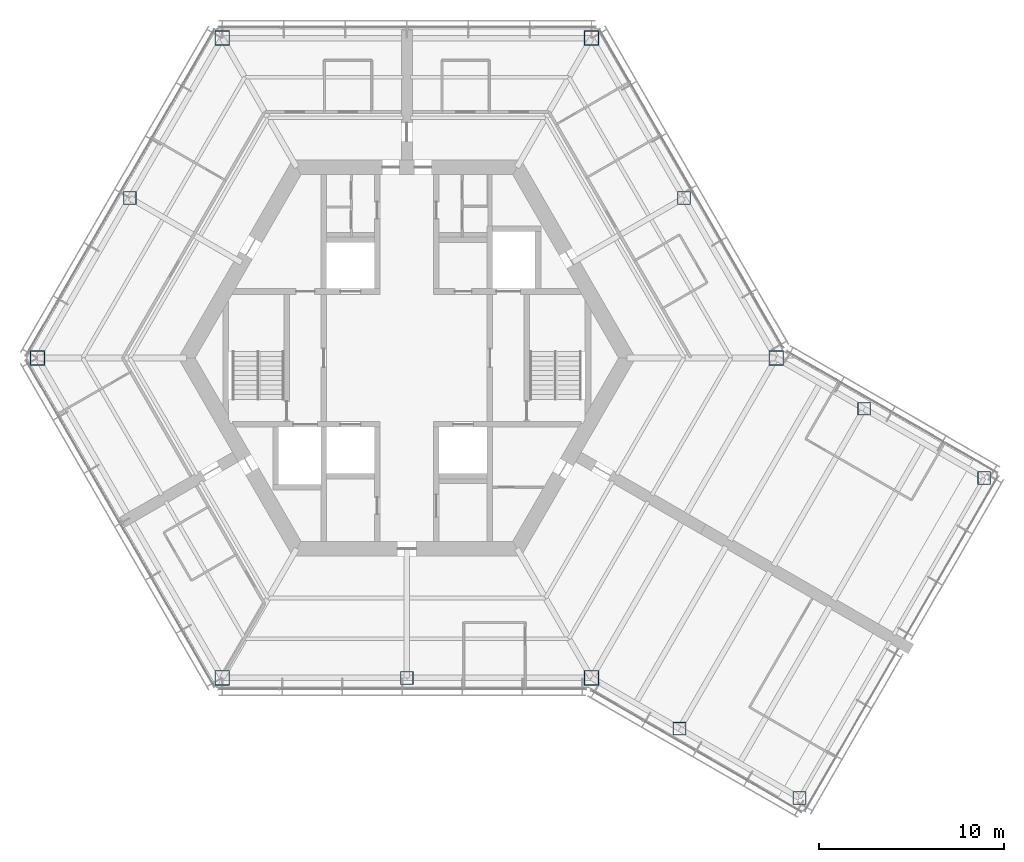
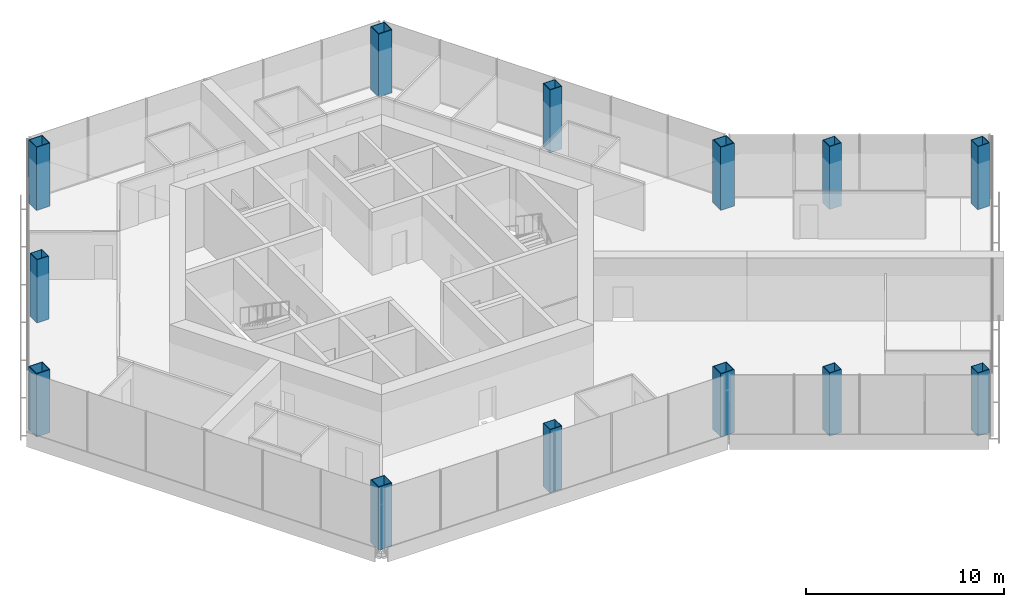
# One storey, part 1 of 15: 13 columns.
"""IFC4 building model written with IfcOpenShell, lengths in metres."""

from ifc_helpers import new_model, si_unit, direction, frame, origin, origin_2d, place, context, subcontext, project, spatial, hollow_rectangle, extrude, material, material_profile, profile_set, type_object, element, save


model = new_model("IFC4")

# Units and contexts
model_context = context("Model", 3, precision=1e-05, world=origin(), true_north=direction((0.0, 1.0)))
body_context = subcontext(model_context, "Body", "Model", "MODEL_VIEW")
ifc_project = project(units=[si_unit("LENGTHUNIT", "METRE"), si_unit("AREAUNIT", "SQUARE_METRE"), si_unit("VOLUMEUNIT", "CUBIC_METRE"), si_unit("PLANEANGLEUNIT", "RADIAN"), si_unit("MASSUNIT", "GRAM", prefix="KILO")], contexts=[model_context])

# Site, building, storey
site_placement = place(None, origin())
site = spatial("IfcSite", under=ifc_project, at=site_placement, CompositionType="ELEMENT")
building_placement = place(site_placement, origin())
building = spatial("IfcBuilding", under=site, at=building_placement, Name="Kasaneha Research Tower", CompositionType="ELEMENT")
storey_placement = place(building_placement, frame((0.0, 0.0, 236.199951171875)))
storey = spatial("IfcBuildingStorey", under=building, at=storey_placement, Name="L59", CompositionType="ELEMENT", Elevation=236.199951171875)

# Columns
ifc_material_1 = material(Name="Steel SN490C", Category="steel")
ifc_material_profile_1 = material_profile(ifc_material_1, hollow_rectangle(XDim=0.800048828125, YDim=0.800048828125, WallThickness=0.0400390625, at=origin_2d()), Name="BOX-800x800x40")
ifc_profile_set_1 = profile_set([ifc_material_profile_1], Name="Steel SN490C")
column_type_1 = type_object("IfcColumnType", Name="C4A column BOX-800x800x40", PredefinedType="COLUMN", material=ifc_profile_set_1)
for number, where, z_axis, x_axis, name in (
    (1, (20.0, 0.0, 0.0), (0.0, 0.0, 1.0), (1.0, 0.0, 0.0), "Column V0 L59"),
    (2, (10.0, 17.320556640625, 0.0), (0.0, 0.0, 1.0), (1.0, 0.0, 0.0), "Column V1 L59"),
    (3, (-10.0, 17.320556640625, 0.0), (0.0, 0.0, 1.0), (1.0, 0.0, 0.0), "Column V2 L59"),
    (4, (-20.0, 0.0, 0.0), (0.0, 0.0, 1.0), (1.0, 0.0, 0.0), "Column V3 L59"),
    (5, (-10.0, -17.320556640625, 0.0), (0.0, 0.0, 1.0), (1.0, 0.0, 0.0), "Column V4 L59"),
    (6, (10.0, -17.320556640625, 0.0), (0.0, 0.0, 1.0), (1.0, 0.0, 0.0), "Column V5 L59"),
):
    element("IfcColumn", number, at=place(storey_placement, frame(where, z_axis=z_axis, x_axis=x_axis)), inside=storey, type_object=column_type_1, Name=name, PredefinedType="COLUMN", context=body_context, shape_type="SweptSolid", body=[
        extrude(hollow_rectangle(XDim=0.800048828125, YDim=0.800048828125, WallThickness=0.0400390625, at=origin_2d()), origin(), (0.0, 0.0, 1.0), 3.900146484375),
    ])
ifc_material_2 = material(Name="Steel SN490C", Category="steel")
ifc_material_profile_2 = material_profile(ifc_material_2, hollow_rectangle(XDim=0.699951171875, YDim=0.699951171875, WallThickness=0.031982421875, at=origin_2d()), Name="BOX-700x700x32")
ifc_profile_set_2 = profile_set([ifc_material_profile_2], Name="Steel SN490C")
column_type_2 = type_object("IfcColumnType", Name="C4B column BOX-700x700x32", PredefinedType="COLUMN", material=ifc_profile_set_2)
for number, where, z_axis, x_axis, name in (
    (7, (15.0, 8.66015625, 0.0), (0.0, 0.0, 1.0), (1.0, 0.0, 0.0), "Column M030 L59"),
    (8, (-15.0, 8.66015625, 0.0), (0.0, 0.0, 1.0), (1.0, 0.0, 0.0), "Column M150 L59"),
    (9, (0.0, -17.320556640625, 0.0), (0.0, 0.0, 1.0), (1.0, 0.0, 0.0), "Column M270 L59"),
    (10, (14.76318359375, -20.070556640625, 0.0), (0.0, 0.0, 1.0), (1.0, 0.0, 0.0), "Column CSP L59"),
    (11, (21.25830078125, -23.820556640625, 0.0), (0.0, 0.0, 1.0), (1.0, 0.0, 0.0), "Column CTP L59"),
    (12, (24.76318359375, -2.75, 0.0), (0.0, 0.0, 1.0), (1.0, 0.0, 0.0), "Column CSN L59"),
    (13, (31.25830078125, -6.5, 0.0), (0.0, 0.0, 1.0), (1.0, 0.0, 0.0), "Column CTN L59"),
):
    element("IfcColumn", number, at=place(storey_placement, frame(where, z_axis=z_axis, x_axis=x_axis)), inside=storey, type_object=column_type_2, Name=name, PredefinedType="COLUMN", context=body_context, shape_type="SweptSolid", body=[
        extrude(hollow_rectangle(XDim=0.699951171875, YDim=0.699951171875, WallThickness=0.031982421875, at=origin_2d()), origin(), (0.0, 0.0, 1.0), 3.900146484375),
    ])

save(model, "model.ifc")
